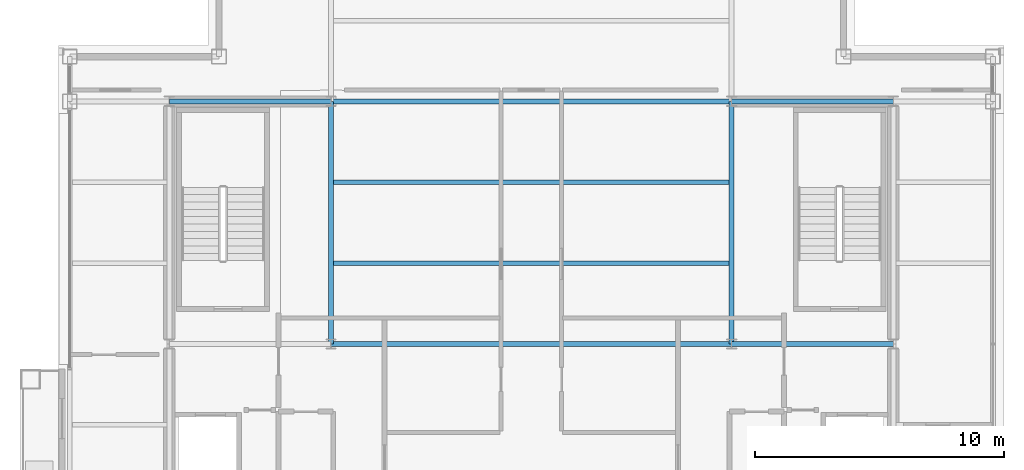
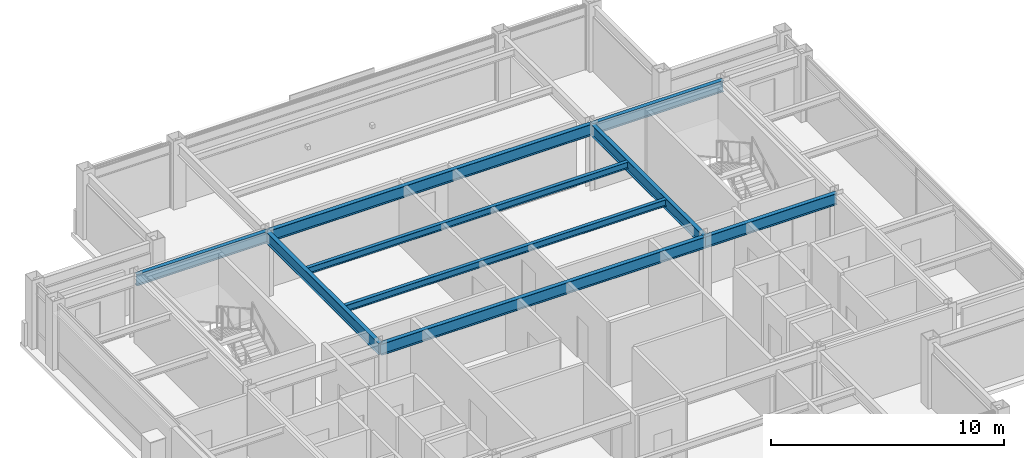
# One storey, part 12 of 24: 9 beams.
"""IFC4 building model written with IfcOpenShell, lengths in metres."""

from ifc_helpers import new_model, si_unit, direction, frame, origin, origin_2d, place, context, subcontext, project, spatial, i_section, extrude, material, material_profile, profile_set, type_object, element, save


model = new_model("IFC4")

# Units and contexts
model_context = context("Model", 3, precision=1e-05, world=origin(), true_north=direction((0.0, 1.0)))
body_context = subcontext(model_context, "Body", "Model", "MODEL_VIEW")
ifc_project = project(units=[si_unit("LENGTHUNIT", "METRE"), si_unit("AREAUNIT", "SQUARE_METRE"), si_unit("VOLUMEUNIT", "CUBIC_METRE"), si_unit("PLANEANGLEUNIT", "RADIAN"), si_unit("MASSUNIT", "GRAM", prefix="KILO")], contexts=[model_context])

# Site, building, storey
site_placement = place(None, origin())
site = spatial("IfcSite", under=ifc_project, at=site_placement, CompositionType="ELEMENT")
building_placement = place(site_placement, origin())
building = spatial("IfcBuilding", under=site, at=building_placement, Name="Brelmoor Portico Tower", CompositionType="ELEMENT")
storey_placement = place(building_placement, frame((0.0, 0.0, 254.39990234375)))
storey = spatial("IfcBuildingStorey", under=building, at=storey_placement, Name="L67", CompositionType="ELEMENT", Elevation=254.39990234375)

# Beams
ifc_material = material(Name="Steel Q355B", Category="steel")
ifc_material_profile_1 = material_profile(ifc_material, i_section(OverallWidth=0.175048828125, OverallDepth=0.35009765625, WebThickness=0.007080078125, FlangeThickness=0.010986328125, at=origin_2d()), Name="HN 350x175x7x11")
ifc_profile_set_1 = profile_set([ifc_material_profile_1], Name="Steel Q355B")
beam_type_1 = type_object("IfcBeamType", Name="BM-JS-350", PredefinedType="JOIST", material=ifc_profile_set_1)
for number, where, z_axis, x_axis, name in (
    (1, (-7.949951171875, 3.25, 3.22509765625), (1.0, 0.0, 0.0), (0.0, 1.0, 0.0), "L67 Secondary Composite Joist JS-C03"),
    (2, (-7.949951171875, 6.5, 3.22509765625), (1.0, 0.0, 0.0), (0.0, 1.0, 0.0), "L67 Secondary Composite Joist JS-C04"),
):
    element("IfcBeam", number, at=place(storey_placement, frame(where, z_axis=z_axis, x_axis=x_axis)), inside=storey, type_object=beam_type_1, Name=name, PredefinedType="JOIST", context=body_context, shape_type="SweptSolid", body=[
        extrude(i_section(OverallWidth=0.175048828125, OverallDepth=0.35009765625, WebThickness=0.007080078125, FlangeThickness=0.010986328125, at=origin_2d()), origin(), (0.0, 0.0, 1.0), 15.89990234375),
    ])
ifc_material_profile_2 = material_profile(ifc_material, i_section(OverallWidth=0.199951171875, OverallDepth=0.60009765625, WebThickness=0.010986328125, FlangeThickness=0.01708984375, at=origin_2d()), Name="HN 600x200x11x17")
ifc_profile_set_2 = profile_set([ifc_material_profile_2], Name="Steel Q355B")
beam_type_2 = type_object("IfcBeamType", Name="BM-PG-600", PredefinedType="BEAM", material=ifc_profile_set_2)
for number, where, z_axis, x_axis, name in (
    (3, (-8.050048828125, 0.0, 3.10009765625), (0.0, 1.0, 0.0), (-1.0, 0.0, 0.0), "L67 Primary Floor Girder PG-04"),
    (4, (8.050048828125, 0.0, 3.10009765625), (0.0, 1.0, 0.0), (-1.0, 0.0, 0.0), "L67 Primary Floor Girder PG-07"),
):
    element("IfcBeam", number, at=place(storey_placement, frame(where, z_axis=z_axis, x_axis=x_axis)), inside=storey, type_object=beam_type_2, Name=name, PredefinedType="BEAM", context=body_context, shape_type="SweptSolid", body=[
        extrude(i_section(OverallWidth=0.199951171875, OverallDepth=0.60009765625, WebThickness=0.010986328125, FlangeThickness=0.01708984375, at=origin_2d()), origin(), (0.0, 0.0, 1.0), 9.75),
    ])
beam_1_placement = place(storey_placement, frame((-8.050048828125, 0.0, 3.10009765625), z_axis=(1.0, 0.0, 0.0), x_axis=(0.0, 1.0, 0.0)))
element("IfcBeam", 5, at=beam_1_placement, inside=storey, type_object=beam_type_2, Name="L67 Primary Floor Girder PG-17", PredefinedType="BEAM", context=body_context, shape_type="SweptSolid", body=[
    extrude(i_section(OverallWidth=0.199951171875, OverallDepth=0.60009765625, WebThickness=0.010986328125, FlangeThickness=0.01708984375, at=origin_2d()), origin(), (0.0, 0.0, 1.0), 16.10009765625),
])
for number, where, z_axis, x_axis, name in (
    (6, (8.050048828125, 0.0, 3.10009765625), (1.0, 0.0, 0.0), (0.0, 1.0, 0.0), "L67 Primary Floor Girder PG-18"),
    (7, (-14.550048828125, 9.75, 3.10009765625), (1.0, 0.0, 0.0), (0.0, 1.0, 0.0), "L67 Primary Floor Girder PG-20"),
):
    element("IfcBeam", number, at=place(storey_placement, frame(where, z_axis=z_axis, x_axis=x_axis)), inside=storey, type_object=beam_type_2, Name=name, PredefinedType="BEAM", context=body_context, shape_type="SweptSolid", body=[
        extrude(i_section(OverallWidth=0.199951171875, OverallDepth=0.60009765625, WebThickness=0.010986328125, FlangeThickness=0.01708984375, at=origin_2d()), origin(), (0.0, 0.0, 1.0), 6.5),
    ])
beam_2_placement = place(storey_placement, frame((-8.050048828125, 9.75, 3.10009765625), z_axis=(1.0, 0.0, 0.0), x_axis=(0.0, 1.0, 0.0)))
element("IfcBeam", 8, at=beam_2_placement, inside=storey, type_object=beam_type_2, Name="L67 Primary Floor Girder PG-21", PredefinedType="BEAM", context=body_context, shape_type="SweptSolid", body=[
    extrude(i_section(OverallWidth=0.199951171875, OverallDepth=0.60009765625, WebThickness=0.010986328125, FlangeThickness=0.01708984375, at=origin_2d()), origin(), (0.0, 0.0, 1.0), 16.10009765625),
])
beam_3_placement = place(storey_placement, frame((8.050048828125, 9.75, 3.10009765625), z_axis=(1.0, 0.0, 0.0), x_axis=(0.0, 1.0, 0.0)))
element("IfcBeam", 9, at=beam_3_placement, inside=storey, type_object=beam_type_2, Name="L67 Primary Floor Girder PG-22", PredefinedType="BEAM", context=body_context, shape_type="SweptSolid", body=[
    extrude(i_section(OverallWidth=0.199951171875, OverallDepth=0.60009765625, WebThickness=0.010986328125, FlangeThickness=0.01708984375, at=origin_2d()), origin(), (0.0, 0.0, 1.0), 6.5),
])

save(model, "model.ifc")
